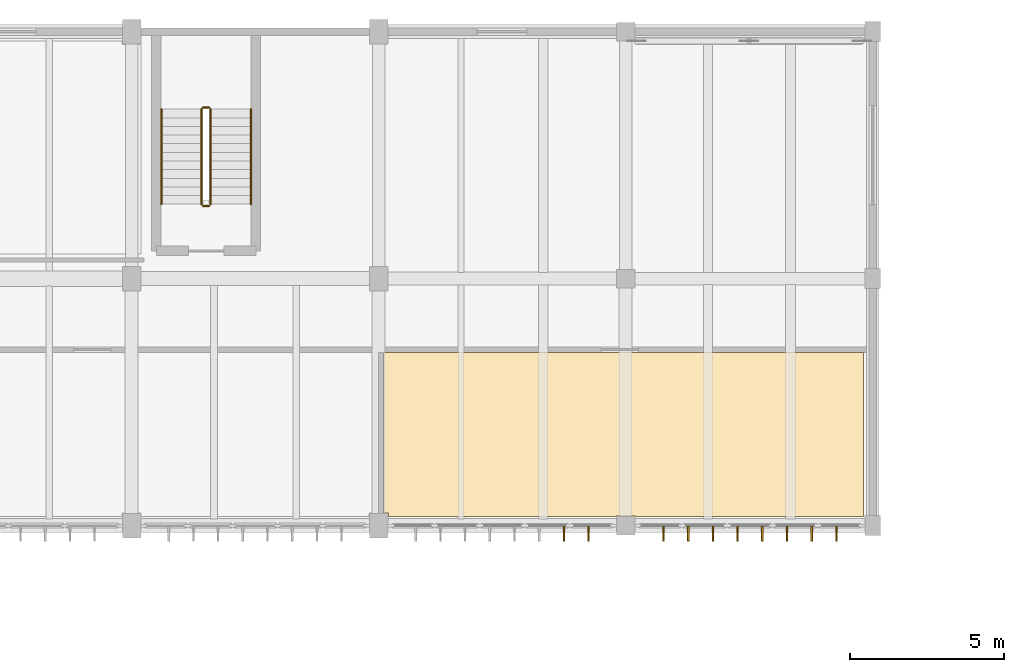
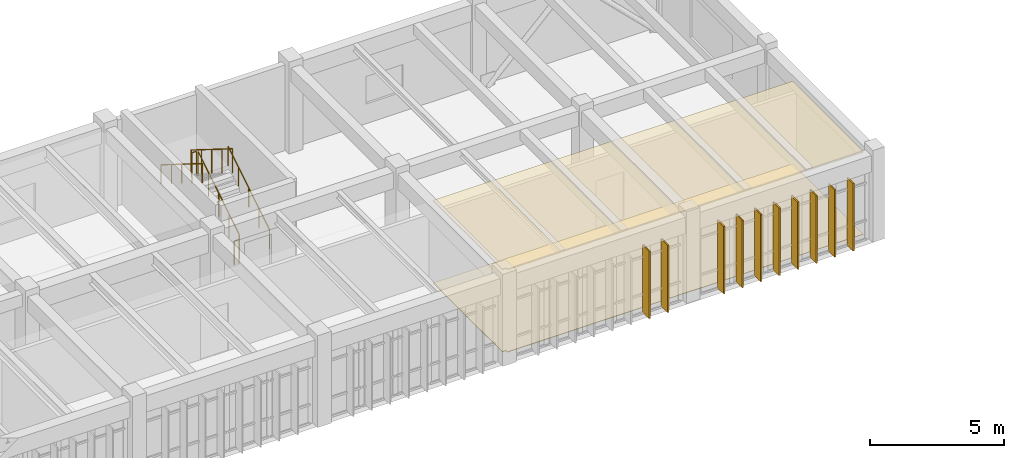
# One storey, part 67 of 67: 10 shading devices, 6 railings, 2 coverings.
"""IFC4 building model written with IfcOpenShell, lengths in metres."""

from ifc_helpers import new_model, si_unit, direction, frame, origin, origin_2d, place, context, subcontext, project, spatial, polyline, rectangle, circle, outline, extrude, material, layer, layer_set, type_object, element, save


model = new_model("IFC4")

# Units and contexts
model_context = context("Model", 3, precision=1e-05, world=origin(), true_north=direction((0.0, 1.0)))
body_context = subcontext(model_context, "Body", "Model", "MODEL_VIEW")
ifc_project = project(units=[si_unit("LENGTHUNIT", "METRE"), si_unit("AREAUNIT", "SQUARE_METRE"), si_unit("VOLUMEUNIT", "CUBIC_METRE"), si_unit("PLANEANGLEUNIT", "RADIAN"), si_unit("MASSUNIT", "GRAM", prefix="KILO")], contexts=[model_context])

# Site, building, storey
site_placement = place(None, origin())
site = spatial("IfcSite", under=ifc_project, at=site_placement, CompositionType="ELEMENT")
building_placement = place(site_placement, origin())
building = spatial("IfcBuilding", under=site, at=building_placement, Name="Tlaxcora Railside Police Headquarters", CompositionType="ELEMENT")
storey_placement = place(building_placement, frame((0.0, 0.0, 4.800048828125)))
storey = spatial("IfcBuildingStorey", under=building, at=storey_placement, Name="L01", CompositionType="ELEMENT", Elevation=4.800048828125)

# Coverings
ifc_material_1 = material(Name="Heavy-duty resin and raised-access technical flooring")
ifc_layer_1 = layer(ifc_material_1, 0.02490234375, Name="Heavy-duty resin and raised-access technical flooring")
ifc_layer_set_1 = layer_set([ifc_layer_1], Name="Heavy-duty resin and raised-access technical flooring")
covering_type_1 = type_object("IfcCoveringType", Name="Epoxy Chemical-Resistant Lab Flooring FLR-02", PredefinedType="FLOORING", material=ifc_layer_set_1)
covering_1_placement = place(storey_placement, origin())
element("IfcCovering", 1, at=covering_1_placement, inside=storey, type_object=covering_type_1, Name="Reagent Prep and Fume-Hood Balance Room technical floor finish", PredefinedType="FLOORING", context=body_context, shape_type="SweptSolid", body=[
    extrude(outline(polyline([(142.955078125, 82.39990234375), (142.955078125, 77.2099609375), (143.110107421875, 77.2099609375), (143.110107421875, 77.10009765625), (150.489990234375, 77.10009765625), (150.489990234375, 77.110107421875), (151.110107421875, 77.110107421875), (151.110107421875, 77.10009765625), (158.5, 77.10009765625), (158.5, 82.39990234375), (142.955078125, 82.39990234375)])), origin(), (0.0, 0.0, 1.0), 0.02490234375),
])
ifc_material_2 = material(Name="Mineral-fibre acoustic ceiling tile")
ifc_layer_2 = layer(ifc_material_2, 0.044921875, Name="Mineral-fibre acoustic ceiling tile")
ifc_layer_set_2 = layer_set([ifc_layer_2], Name="Mineral-fibre acoustic ceiling tile")
covering_type_2 = type_object("IfcCoveringType", Name="Laboratory Hygienic Ceiling CLG-02", PredefinedType="CEILING", material=ifc_layer_set_2)
covering_2_placement = place(storey_placement, frame((0.0, 0.0, 3.7548828125)))
element("IfcCovering", 2, at=covering_2_placement, inside=storey, type_object=covering_type_2, Name="Reagent Prep and Fume-Hood Balance Room suspended ceiling", PredefinedType="CEILING", context=body_context, shape_type="SweptSolid", body=[
    extrude(outline(polyline([(142.955078125, 82.39990234375), (142.955078125, 77.2099609375), (143.110107421875, 77.2099609375), (143.110107421875, 77.10009765625), (150.489990234375, 77.10009765625), (150.489990234375, 77.110107421875), (151.110107421875, 77.110107421875), (151.110107421875, 77.10009765625), (158.5, 77.10009765625), (158.5, 82.39990234375), (142.955078125, 82.39990234375)])), origin(), (0.0, 0.0, 1.0), 0.045166015625),
])

# Shading devices
ifc_material_3 = material(Name="Bronze-anodised perforated aluminium sheet", Category="aluminium")
ifc_layer_3 = layer(ifc_material_3, 0.06494140625, Name="Bronze-anodised perforated aluminium sheet")
ifc_layer_set_3 = layer_set([ifc_layer_3], Name="Bronze-anodised perforated aluminium sheet")
shading_device_type = type_object("IfcShadingDeviceType", Name="Solar Control Fin SF-02", PredefinedType="JALOUSIE", material=ifc_layer_set_3)
for number, where, z_axis, x_axis, name in (
    (3, (148.800048828125, 76.5400390625, 0.039794921875), (0.0, 0.0, 1.0), (0.0, -1.0, 0.0), "Vertical solar fin 814"),
    (4, (149.60009765625, 76.5400390625, 0.039794921875), (0.0, 0.0, 1.0), (0.0, -1.0, 0.0), "Vertical solar fin 815"),
    (5, (152.02490234375, 76.5400390625, 0.039794921875), (0.0, 0.0, 1.0), (0.0, -1.0, 0.0), "Vertical solar fin 816"),
    (6, (152.824951171875, 76.5400390625, 0.039794921875), (0.0, 0.0, 1.0), (0.0, -1.0, 0.0), "Vertical solar fin 817"),
    (7, (153.625, 76.5400390625, 0.039794921875), (0.0, 0.0, 1.0), (0.0, -1.0, 0.0), "Vertical solar fin 818"),
    (8, (154.425048828125, 76.5400390625, 0.039794921875), (0.0, 0.0, 1.0), (0.0, -1.0, 0.0), "Vertical solar fin 819"),
    (9, (155.22509765625, 76.5400390625, 0.039794921875), (0.0, 0.0, 1.0), (0.0, -1.0, 0.0), "Vertical solar fin 820"),
    (10, (156.02490234375, 76.5400390625, 0.039794921875), (0.0, 0.0, 1.0), (0.0, -1.0, 0.0), "Vertical solar fin 821"),
    (11, (156.824951171875, 76.5400390625, 0.039794921875), (0.0, 0.0, 1.0), (0.0, -1.0, 0.0), "Vertical solar fin 822"),
    (12, (157.625, 76.5400390625, 0.039794921875), (0.0, 0.0, 1.0), (0.0, -1.0, 0.0), "Vertical solar fin 823"),
):
    element("IfcShadingDevice", number, at=place(storey_placement, frame(where, z_axis=z_axis, x_axis=x_axis)), inside=storey, type_object=shading_device_type, Name=name, PredefinedType="JALOUSIE", context=body_context, shape_type="SweptSolid", body=[
        extrude(rectangle(XDim=0.47998046875, YDim=0.054931640625, at=origin_2d()), origin(), (0.0, 0.0, 1.0), 3.080078125),
    ])

# Railings
ifc_material_4 = material(Name="Steel ASTM A992 Grade 50", Category="steel")
railing_type_1 = type_object("IfcRailingType", Name="Stair Well Guard Balustrade GR-02", PredefinedType="BALUSTRADE", material=ifc_material_4)
railing_1_placement = place(storey_placement, frame((137.360107421875, 87.2099609375, 0.175048828125)))
element("IfcRailing", 13, at=railing_1_placement, inside=storey, type_object=railing_type_1, Name="L01 ST8 stair guard 1", PredefinedType="BALUSTRADE", context=body_context, shape_type="SweptSolid", body=[
    extrude(circle(Radius=0.02392578125, at=origin_2d()), frame((0.0, 0.0, 1.09619140625), z_axis=(0.0, 0.848028513186, 0.529950602248), x_axis=(-1.0, 0.0, 0.0)), (0.0, 0.0, 1.0), 3.632080078125),
    extrude(circle(Radius=0.02099609375, at=origin_2d()), origin(), (0.0, 0.0, 1.0), 1.072021484375),
    extrude(circle(Radius=0.02099609375, at=origin_2d()), frame((0.0, 0.77001953125, 0.481201171875)), (0.0, 0.0, 1.0), 1.072021484375),
    extrude(circle(Radius=0.02099609375, at=origin_2d()), frame((0.0, 1.5400390625, 0.96240234375)), (0.0, 0.0, 1.0), 1.072021484375),
    extrude(circle(Radius=0.02099609375, at=origin_2d()), frame((0.0, 2.31005859375, 1.443603515625)), (0.0, 0.0, 1.0), 1.072021484375),
    extrude(circle(Radius=0.02099609375, at=origin_2d()), frame((0.0, 3.080078125, 1.9248046875)), (0.0, 0.0, 1.0), 1.072021484375),
])
railing_2_placement = place(storey_placement, frame((137.31005859375, 90.340087890625, 2.099853515625)))
element("IfcRailing", 14, at=railing_2_placement, inside=storey, type_object=railing_type_1, Name="L01 ST8 stair guard 2", PredefinedType="BALUSTRADE", context=body_context, shape_type="SweptSolid", body=[
    extrude(circle(Radius=0.02392578125, at=origin_2d()), frame((0.0, 0.0, 1.09619140625), z_axis=(-1.0, 0.0, 0.0), x_axis=(0.0, -1.0, 0.0)), (0.0, 0.0, 1.0), 0.199951171875),
    extrude(circle(Radius=0.02099609375, at=origin_2d()), origin(), (0.0, 0.0, 1.0), 1.072021484375),
    extrude(circle(Radius=0.02099609375, at=origin_2d()), frame((-0.199951171875, 0.0, 0.0)), (0.0, 0.0, 1.0), 1.072021484375),
])
railing_3_placement = place(storey_placement, frame((137.06005859375, 90.2900390625, 2.27490234375)))
element("IfcRailing", 15, at=railing_3_placement, inside=storey, type_object=railing_type_1, Name="L01 ST8 stair guard 3", PredefinedType="BALUSTRADE", context=body_context, shape_type="SweptSolid", body=[
    extrude(circle(Radius=0.02392578125, at=origin_2d()), frame((0.0, 0.0, 1.09619140625), z_axis=(0.0, -0.847998304005, 0.529998940003), x_axis=(1.0, 0.0, 0.0)), (0.0, 0.0, 1.0), 3.632080078125),
    extrude(circle(Radius=0.02099609375, at=origin_2d()), origin(), (0.0, 0.0, 1.0), 1.072021484375),
    extrude(circle(Radius=0.02099609375, at=origin_2d()), frame((0.0, -0.77001953125, 0.481201171875)), (0.0, 0.0, 1.0), 1.072021484375),
    extrude(circle(Radius=0.02099609375, at=origin_2d()), frame((0.0, -1.5400390625, 0.96240234375)), (0.0, 0.0, 1.0), 1.072021484375),
    extrude(circle(Radius=0.02099609375, at=origin_2d()), frame((0.0, -2.31005859375, 1.44384765625)), (0.0, 0.0, 1.0), 1.072021484375),
    extrude(circle(Radius=0.02099609375, at=origin_2d()), frame((0.0, -3.080078125, 1.925048828125)), (0.0, 0.0, 1.0), 1.072021484375),
])
railing_4_placement = place(storey_placement, frame((137.31005859375, 87.159912109375, 0.0)))
element("IfcRailing", 16, at=railing_4_placement, inside=storey, type_object=railing_type_1, Name="L01 ST8 stair guard 4", PredefinedType="BALUSTRADE", context=body_context, shape_type="SweptSolid", body=[
    extrude(circle(Radius=0.02392578125, at=origin_2d()), frame((0.0, 0.0, 1.09619140625), z_axis=(-1.0, 0.0, 0.0), x_axis=(0.0, -1.0, 0.0)), (0.0, 0.0, 1.0), 0.199951171875),
    extrude(circle(Radius=0.02099609375, at=origin_2d()), origin(), (0.0, 0.0, 1.0), 1.072021484375),
    extrude(circle(Radius=0.02099609375, at=origin_2d()), frame((-0.199951171875, 0.0, 0.0)), (0.0, 0.0, 1.0), 1.072021484375),
])
railing_type_2 = type_object("IfcRailingType", Name="Stair and Ramp Handrail HR-01", PredefinedType="HANDRAIL", material=ifc_material_4)
railing_5_placement = place(storey_placement, frame((138.659912109375, 87.2099609375, 0.175048828125)))
element("IfcRailing", 17, at=railing_5_placement, inside=storey, type_object=railing_type_2, Name="L01 ST8 stair handrail 1", PredefinedType="HANDRAIL", context=body_context, shape_type="SweptSolid", body=[
    extrude(circle(Radius=0.02392578125, at=origin_2d()), frame((0.0, 0.0, 0.8759765625), z_axis=(0.0, 0.848028513186, 0.529950602248), x_axis=(-1.0, 0.0, 0.0)), (0.0, 0.0, 1.0), 3.632080078125),
    extrude(circle(Radius=0.02099609375, at=origin_2d()), origin(), (0.0, 0.0, 1.0), 0.851806640625),
    extrude(circle(Radius=0.02099609375, at=origin_2d()), frame((0.0, 0.77001953125, 0.481201171875)), (0.0, 0.0, 1.0), 0.851806640625),
    extrude(circle(Radius=0.02099609375, at=origin_2d()), frame((0.0, 1.5400390625, 0.96240234375)), (0.0, 0.0, 1.0), 0.851806640625),
    extrude(circle(Radius=0.02099609375, at=origin_2d()), frame((0.0, 2.31005859375, 1.443603515625)), (0.0, 0.0, 1.0), 0.851806640625),
    extrude(circle(Radius=0.02099609375, at=origin_2d()), frame((0.0, 3.080078125, 1.9248046875)), (0.0, 0.0, 1.0), 0.851806640625),
])
railing_6_placement = place(storey_placement, frame((135.760009765625, 90.2900390625, 2.27490234375)))
element("IfcRailing", 18, at=railing_6_placement, inside=storey, type_object=railing_type_2, Name="L01 ST8 stair handrail 2", PredefinedType="HANDRAIL", context=body_context, shape_type="SweptSolid", body=[
    extrude(circle(Radius=0.02392578125, at=origin_2d()), frame((0.0, 0.0, 0.8759765625), z_axis=(0.0, -0.847998304005, 0.529998940003), x_axis=(1.0, 0.0, 0.0)), (0.0, 0.0, 1.0), 3.632080078125),
    extrude(circle(Radius=0.02099609375, at=origin_2d()), origin(), (0.0, 0.0, 1.0), 0.851806640625),
    extrude(circle(Radius=0.02099609375, at=origin_2d()), frame((0.0, -0.77001953125, 0.481201171875)), (0.0, 0.0, 1.0), 0.851806640625),
    extrude(circle(Radius=0.02099609375, at=origin_2d()), frame((0.0, -1.5400390625, 0.96240234375)), (0.0, 0.0, 1.0), 0.851806640625),
    extrude(circle(Radius=0.02099609375, at=origin_2d()), frame((0.0, -2.31005859375, 1.44384765625)), (0.0, 0.0, 1.0), 0.851806640625),
    extrude(circle(Radius=0.02099609375, at=origin_2d()), frame((0.0, -3.080078125, 1.925048828125)), (0.0, 0.0, 1.0), 0.851806640625),
])

save(model, "model.ifc")
